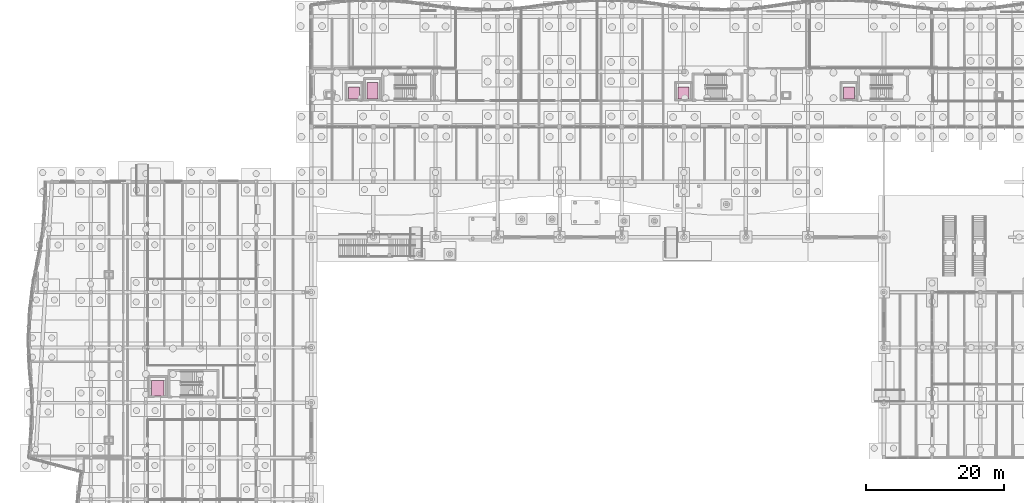
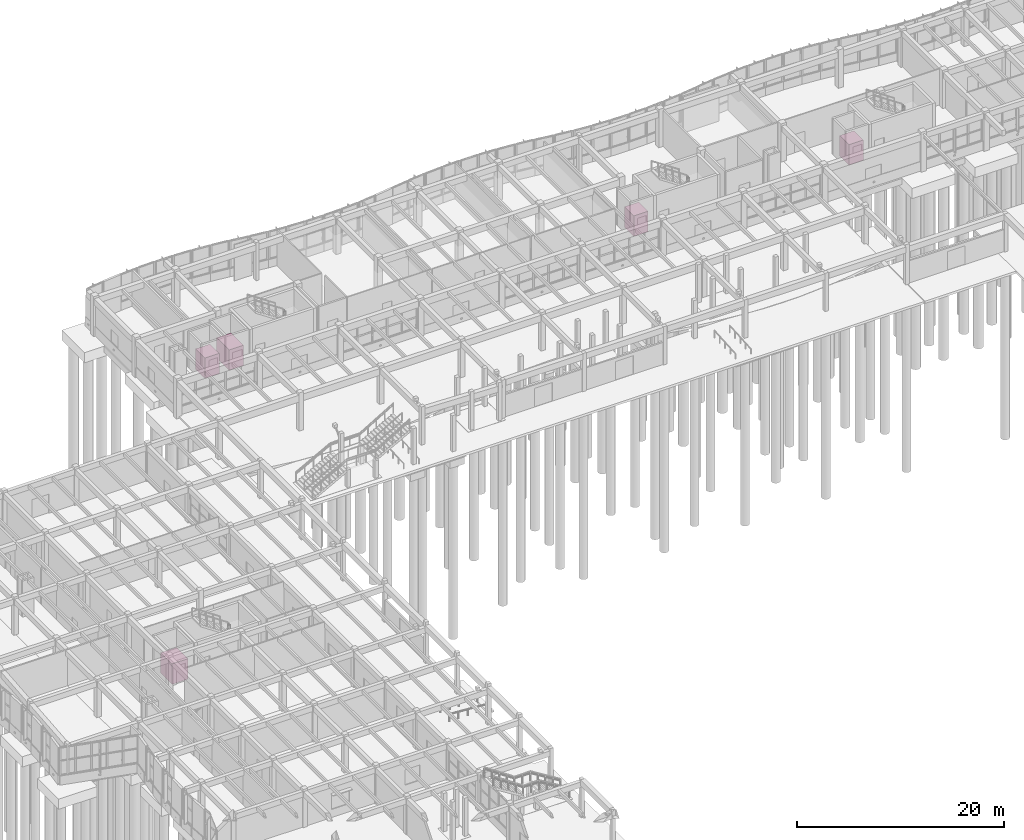
# One storey, part 99 of 99: 5 transport elements.
"""IFC4 building model written with IfcOpenShell, lengths in metres."""

from ifc_helpers import new_model, si_unit, direction, frame, origin, origin_2d, place, context, subcontext, project, spatial, rectangle, extrude, material, type_object, element, save


model = new_model("IFC4")

# Units and contexts
model_context = context("Model", 3, precision=1e-05, world=origin(), true_north=direction((0.0, 1.0)))
body_context = subcontext(model_context, "Body", "Model", "MODEL_VIEW")
ifc_project = project(units=[si_unit("LENGTHUNIT", "METRE"), si_unit("AREAUNIT", "SQUARE_METRE"), si_unit("VOLUMEUNIT", "CUBIC_METRE"), si_unit("PLANEANGLEUNIT", "RADIAN"), si_unit("MASSUNIT", "GRAM", prefix="KILO")], contexts=[model_context])

# Site, building, storey
site_placement = place(None, origin())
site = spatial("IfcSite", under=ifc_project, at=site_placement, CompositionType="ELEMENT")
building_placement = place(site_placement, origin())
building = spatial("IfcBuilding", under=site, at=building_placement, Name="Tonlespit Floodbar School", CompositionType="ELEMENT")
storey_placement = place(building_placement, origin())
storey = spatial("IfcBuildingStorey", under=building, at=storey_placement, Name="L00", CompositionType="ELEMENT", Elevation=0.0)

# Transport elements
ifc_material = material(Name="Galvanised Steel", Category="steel")
transport_element_type_1 = type_object("IfcTransportElementType", Name="Lift_Firefighting_1600kg", PredefinedType="ELEVATOR", material=ifc_material)
transport_element_1_placement = place(storey_placement, frame((52.85009765625, 109.199951171875, 0.0), z_axis=(0.0, 0.0, 1.0), x_axis=(1.0, 0.0, 0.0)))
element("IfcTransportElement", 1, at=transport_element_1_placement, inside=storey, type_object=transport_element_type_1, Name="Lift LF-FF1 car", PredefinedType="ELEVATOR", context=body_context, shape_type="SweptSolid", body=[
    extrude(rectangle(XDim=1.60009765625, YDim=2.39990234375, at=origin_2d()), origin(), (0.0, 0.0, 1.0), 2.39990234375),
])
transport_element_type_2 = type_object("IfcTransportElementType", Name="Lift_Goods_2000kg", PredefinedType="ELEVATOR", material=ifc_material)
transport_element_2_placement = place(storey_placement, frame((21.75, 66.10009765625, 0.0), z_axis=(0.0, 0.0, 1.0), x_axis=(1.0, 0.0, 0.0)))
element("IfcTransportElement", 2, at=transport_element_2_placement, inside=storey, type_object=transport_element_type_2, Name="Lift LG-1 car", PredefinedType="ELEVATOR", context=body_context, shape_type="SweptSolid", body=[
    extrude(rectangle(XDim=1.800048828125, YDim=2.199951171875, at=origin_2d()), origin(), (0.0, 0.0, 1.0), 2.39990234375),
])
transport_element_type_3 = type_object("IfcTransportElementType", Name="Lift_Passenger_1350kg", PredefinedType="ELEVATOR", material=ifc_material)
for number, where, z_axis, x_axis, name in (
    (3, (50.14990234375, 108.89990234375, 0.0), (0.0, 0.0, 1.0), (1.0, 0.0, 0.0), "Lift LP-1 car"),
    (4, (97.949951171875, 108.89990234375, 0.0), (0.0, 0.0, 1.0), (1.0, 0.0, 0.0), "Lift LP-2 car"),
    (5, (121.949951171875, 108.89990234375, 0.0), (0.0, 0.0, 1.0), (1.0, 0.0, 0.0), "Lift LP-3 car"),
):
    element("IfcTransportElement", number, at=place(storey_placement, frame(where, z_axis=z_axis, x_axis=x_axis)), inside=storey, type_object=transport_element_type_3, Name=name, PredefinedType="ELEVATOR", context=body_context, shape_type="SweptSolid", body=[
        extrude(rectangle(XDim=1.60009765625, YDim=1.800048828125, at=origin_2d()), origin(), (0.0, 0.0, 1.0), 2.39990234375),
    ])

save(model, "model.ifc")
